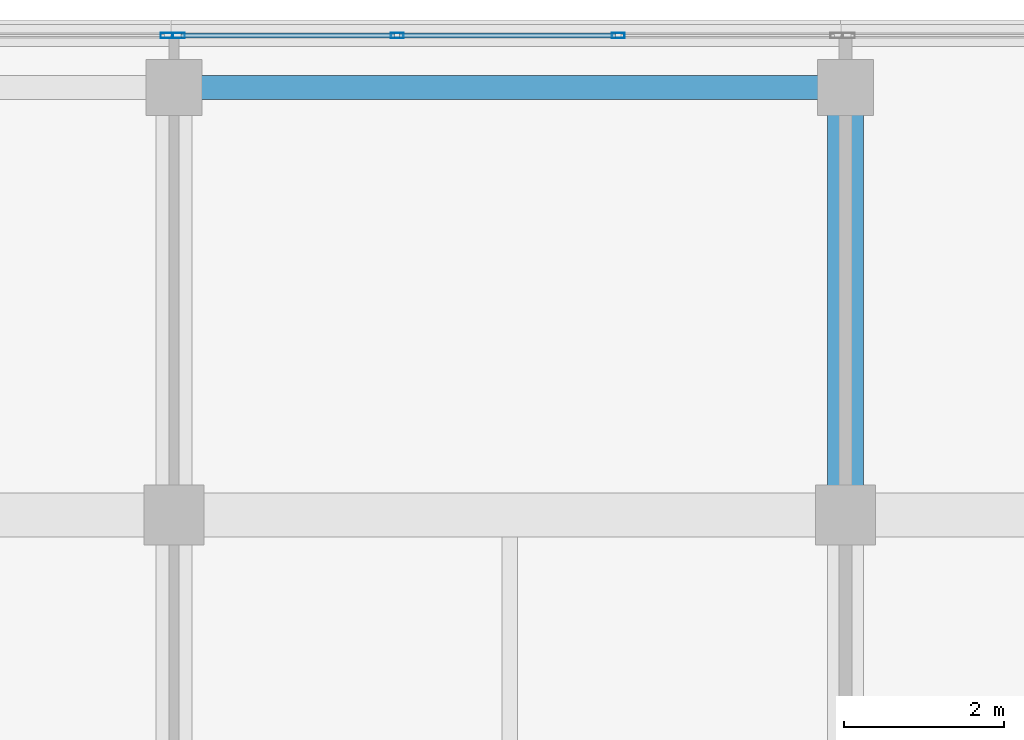
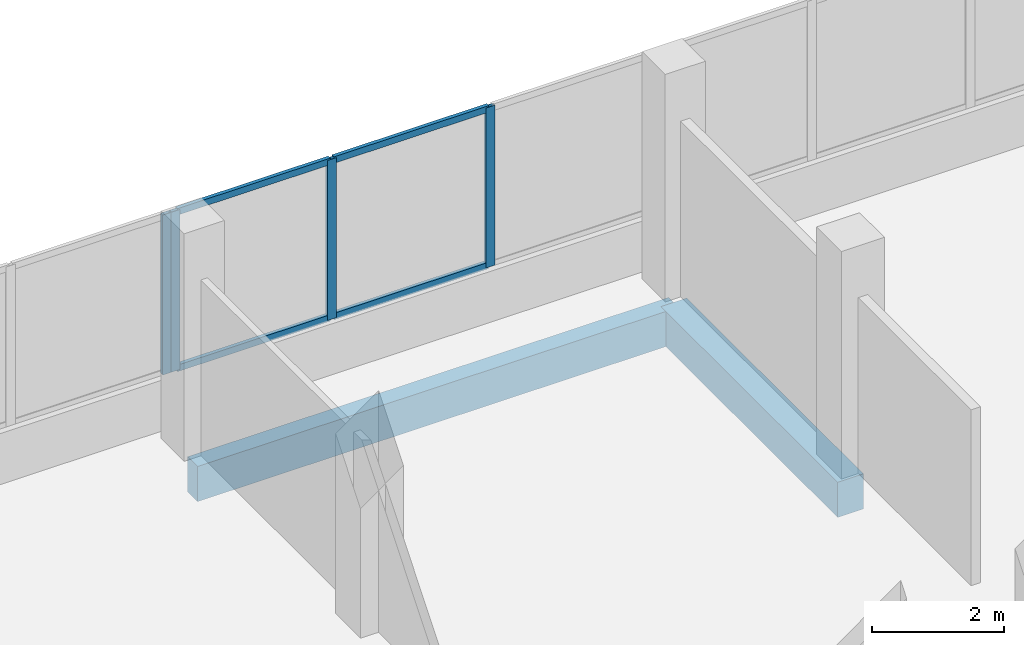
# One storey, part 95 of 184: 8 members, 2 beams, 2 elements without a shape of their own.
"""IFC4 building model written with IfcOpenShell, lengths in metres."""

from ifc_helpers import new_model, si_unit, direction, frame, origin, origin_2d, place, context, subcontext, project, spatial, rectangle, hollow_rectangle, extrude, material, material_profile, profile_set, type_object, element, aggregate, save


model = new_model("IFC4")

# Units and contexts
model_context = context("Model", 3, precision=1e-05, world=origin(), true_north=direction((0.0, 1.0)))
body_context = subcontext(model_context, "Body", "Model", "MODEL_VIEW")
ifc_project = project(units=[si_unit("LENGTHUNIT", "METRE"), si_unit("AREAUNIT", "SQUARE_METRE"), si_unit("VOLUMEUNIT", "CUBIC_METRE"), si_unit("PLANEANGLEUNIT", "RADIAN"), si_unit("MASSUNIT", "GRAM", prefix="KILO")], contexts=[model_context])

# Site, building, storey
site_placement = place(None, origin())
site = spatial("IfcSite", under=ifc_project, at=site_placement, CompositionType="ELEMENT")
building_placement = place(site_placement, origin())
building = spatial("IfcBuilding", under=site, at=building_placement, Name="Selatvlak General Hospital", CompositionType="ELEMENT")
storey_placement = place(building_placement, frame((0.0, 0.0, 15.0)))
storey = spatial("IfcBuildingStorey", under=building, at=storey_placement, Name="L03", CompositionType="ELEMENT", Elevation=15.0)

# Beams
ifc_material_1 = material(Name="Concrete C40/50", Category="concrete")
ifc_material_profile_1 = material_profile(ifc_material_1, rectangle(XDim=0.449951171875, YDim=0.64990234375, at=origin_2d()), Name="RC-BM 450x650")
ifc_profile_set_1 = profile_set([ifc_material_profile_1], Name="Concrete C40/50")
beam_type_1 = type_object("IfcBeamType", Name="BM-G04", PredefinedType="BEAM", material=ifc_profile_set_1)
beam_1_placement = place(storey_placement, frame((39.60009765625, 114.0, -0.6650390625), z_axis=(0.0, 1.0, 0.0), x_axis=(-1.0, 0.0, 0.0)))
element("IfcBeam", 1, at=beam_1_placement, inside=storey, type_object=beam_type_1, Name="Beam BMR-L03-1310", PredefinedType="BEAM", context=body_context, shape_type="SweptSolid", body=[
    extrude(rectangle(XDim=0.449951171875, YDim=0.64990234375, at=origin_2d()), origin(), (0.0, 0.0, 1.0), 5.35009765625),
])
ifc_material_profile_2 = material_profile(ifc_material_1, rectangle(XDim=0.300048828125, YDim=0.64990234375, at=origin_2d()), Name="RC-SP 300x650")
ifc_profile_set_2 = profile_set([ifc_material_profile_2], Name="Concrete C40/50")
beam_type_2 = type_object("IfcBeamType", Name="BM-SP1", PredefinedType="SPANDREL", material=ifc_profile_set_2)
beam_2_placement = place(storey_placement, frame((31.199951171875, 119.35009765625, -0.6650390625), z_axis=(1.0, 0.0, 0.0), x_axis=(0.0, 1.0, 0.0)))
element("IfcBeam", 2, at=beam_2_placement, inside=storey, type_object=beam_type_2, Name="Beam BMR-L03-1278", PredefinedType="SPANDREL", context=body_context, shape_type="SweptSolid", body=[
    extrude(rectangle(XDim=0.300048828125, YDim=0.64990234375, at=origin_2d()), origin(), (0.0, 0.0, 1.0), 8.400146484375),
])

# Curtain wall, member
ifc_material_2 = material(Name="Solar-control Low-E double glazing", Category="glass")
curtain_wall_type_1 = type_object("IfcCurtainWallType", Name="CW-CW-02", PredefinedType="USERDEFINED", material=ifc_material_2)
curtain_wall_1_placement = place(storey_placement, origin())
curtain_wall_1 = element("IfcCurtainWall", 3, at=curtain_wall_1_placement, inside=storey, type_object=curtain_wall_type_1, Name="Glazed facade curtain wall CW-L03-0365", ObjectType="UNITISED CURTAIN WALL", PredefinedType="USERDEFINED")
ifc_material_3 = material(Name="Dark anodised aluminium mullion", Category="aluminium")
ifc_material_profile_3 = material_profile(ifc_material_3, hollow_rectangle(XDim=0.06494140625, YDim=0.159912109375, WallThickness=0.00390625, at=origin_2d()), Name="AL-MUL 65x160x4")
ifc_profile_set_3 = profile_set([ifc_material_profile_3], Name="Dark anodised aluminium mullion")
member_type_1 = type_object("IfcMemberType", Name="CWM-01", PredefinedType="MULLION", material=ifc_profile_set_3)
member_1_placement = place(storey_placement, frame((31.112548828125, 119.9990234375, 0.93994140625), z_axis=(0.0, 0.0, 1.0), x_axis=(0.0, 1.0, 0.0)))
member_1 = element("IfcMember", 4, at=member_1_placement, type_object=member_type_1, Name="CW-02 mullion 4", PredefinedType="MULLION", context=body_context, shape_type="SweptSolid", body=[
    extrude(hollow_rectangle(XDim=0.06494140625, YDim=0.159912109375, WallThickness=0.00390625, at=origin_2d()), origin(), (0.0, 0.0, 1.0), 2.955078125),
])
aggregate(curtain_wall_1, [member_1])

# Curtain wall, members
curtain_wall_type_2 = type_object("IfcCurtainWallType", Name="CW-CW-01", PredefinedType="USERDEFINED", material=ifc_material_2)
curtain_wall_2_placement = place(storey_placement, origin())
curtain_wall_2 = element("IfcCurtainWall", 5, at=curtain_wall_2_placement, inside=storey, type_object=curtain_wall_type_2, Name="Glazed facade curtain wall CW-L03-0366", ObjectType="UNITISED CURTAIN WALL", PredefinedType="USERDEFINED")
member_2_placement = place(storey_placement, frame((31.257568359375, 119.9990234375, 0.93994140625), z_axis=(0.0, 0.0, 1.0), x_axis=(0.0, 1.0, 0.0)))
member_2 = element("IfcMember", 6, at=member_2_placement, type_object=member_type_1, Name="CW-01 mullion 1", PredefinedType="MULLION", context=body_context, shape_type="SweptSolid", body=[
    extrude(hollow_rectangle(XDim=0.06494140625, YDim=0.159912109375, WallThickness=0.00390625, at=origin_2d()), origin(), (0.0, 0.0, 1.0), 2.955078125),
])
member_3_placement = place(storey_placement, frame((33.99169921875, 119.9990234375, 0.93994140625), z_axis=(0.0, 0.0, 1.0), x_axis=(0.0, 1.0, 0.0)))
member_3 = element("IfcMember", 7, at=member_3_placement, type_object=member_type_1, Name="CW-01 mullion 2", PredefinedType="MULLION", context=body_context, shape_type="SweptSolid", body=[
    extrude(hollow_rectangle(XDim=0.06494140625, YDim=0.159912109375, WallThickness=0.00390625, at=origin_2d()), origin(), (0.0, 0.0, 1.0), 2.955078125),
])
member_4_placement = place(storey_placement, frame((36.75830078125, 119.9990234375, 0.93994140625), z_axis=(0.0, 0.0, 1.0), x_axis=(0.0, 1.0, 0.0)))
member_4 = element("IfcMember", 8, at=member_4_placement, type_object=member_type_1, Name="CW-01 mullion 3", PredefinedType="MULLION", context=body_context, shape_type="SweptSolid", body=[
    extrude(hollow_rectangle(XDim=0.06494140625, YDim=0.159912109375, WallThickness=0.00390625, at=origin_2d()), origin(), (0.0, 0.0, 1.0), 2.955078125),
])
ifc_material_profile_4 = material_profile(ifc_material_3, hollow_rectangle(XDim=0.06494140625, YDim=0.1201171875, WallThickness=0.00390625, at=origin_2d()), Name="AL-TRN 65x120x4")
ifc_profile_set_4 = profile_set([ifc_material_profile_4], Name="Dark anodised aluminium mullion")
member_type_2 = type_object("IfcMemberType", Name="CWT-01", PredefinedType="USERDEFINED", material=ifc_profile_set_4)
member_5_placement = place(storey_placement, frame((31.2900390625, 119.9990234375, 0.972412109375), z_axis=(1.0, 0.0, 0.0), x_axis=(0.0, 1.0, 0.0)))
member_5 = element("IfcMember", 9, at=member_5_placement, type_object=member_type_2, Name="CW-01 transom 1.1", ObjectType="TRANSOM", PredefinedType="USERDEFINED", context=body_context, shape_type="SweptSolid", body=[
    extrude(hollow_rectangle(XDim=0.06494140625, YDim=0.1201171875, WallThickness=0.00390625, at=origin_2d()), origin(), (0.0, 0.0, 1.0), 2.669189453125),
])
member_6_placement = place(storey_placement, frame((31.2900390625, 119.9990234375, 3.862548828125), z_axis=(1.0, 0.0, 0.0), x_axis=(0.0, 1.0, 0.0)))
member_6 = element("IfcMember", 10, at=member_6_placement, type_object=member_type_2, Name="CW-01 transom 1.2", ObjectType="TRANSOM", PredefinedType="USERDEFINED", context=body_context, shape_type="SweptSolid", body=[
    extrude(hollow_rectangle(XDim=0.06494140625, YDim=0.1201171875, WallThickness=0.00390625, at=origin_2d()), origin(), (0.0, 0.0, 1.0), 2.669189453125),
])
member_7_placement = place(storey_placement, frame((34.024169921875, 119.9990234375, 0.972412109375), z_axis=(1.0, 0.0, 0.0), x_axis=(0.0, 1.0, 0.0)))
member_7 = element("IfcMember", 11, at=member_7_placement, type_object=member_type_2, Name="CW-01 transom 2.1", ObjectType="TRANSOM", PredefinedType="USERDEFINED", context=body_context, shape_type="SweptSolid", body=[
    extrude(hollow_rectangle(XDim=0.06494140625, YDim=0.1201171875, WallThickness=0.00390625, at=origin_2d()), origin(), (0.0, 0.0, 1.0), 2.70166015625),
])
member_8_placement = place(storey_placement, frame((34.024169921875, 119.9990234375, 3.862548828125), z_axis=(1.0, 0.0, 0.0), x_axis=(0.0, 1.0, 0.0)))
member_8 = element("IfcMember", 12, at=member_8_placement, type_object=member_type_2, Name="CW-01 transom 2.2", ObjectType="TRANSOM", PredefinedType="USERDEFINED", context=body_context, shape_type="SweptSolid", body=[
    extrude(hollow_rectangle(XDim=0.06494140625, YDim=0.1201171875, WallThickness=0.00390625, at=origin_2d()), origin(), (0.0, 0.0, 1.0), 2.70166015625),
])
aggregate(curtain_wall_2, [member_2, member_3, member_4, member_5, member_6, member_7, member_8])

save(model, "model.ifc")
